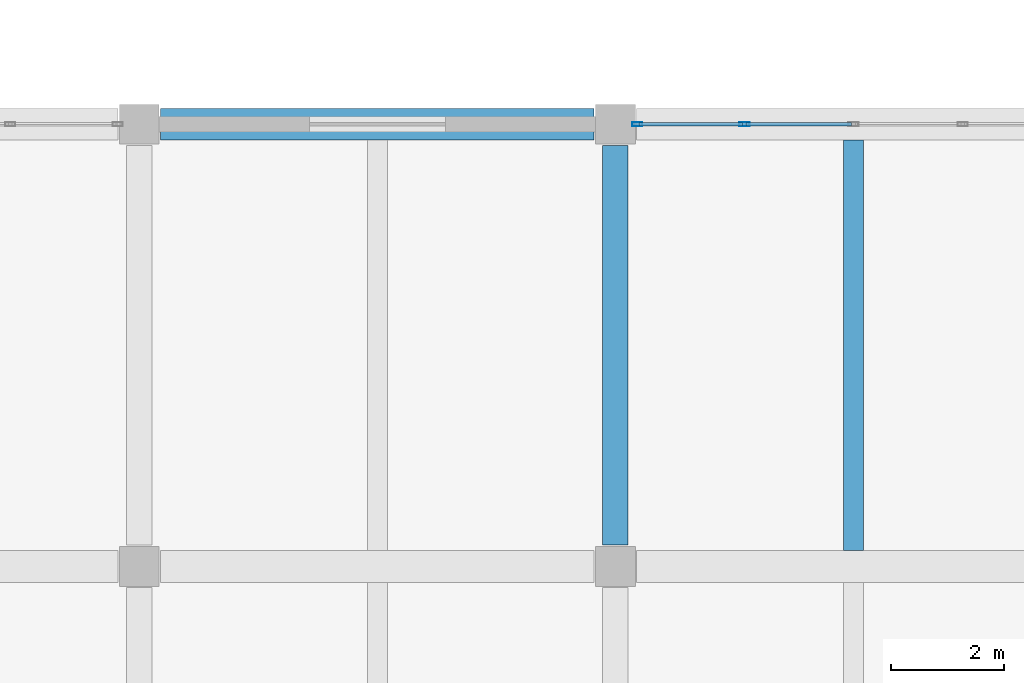
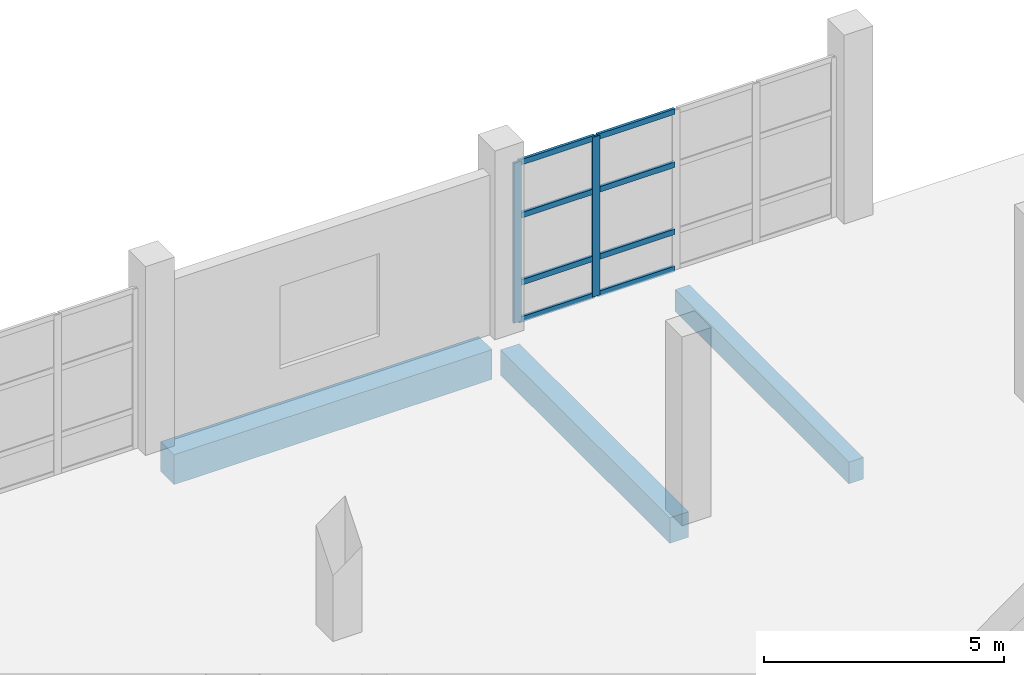
# One storey, part 24 of 91: 10 members, 3 beams, 1 element without a shape of its own.
"""IFC4 building model written with IfcOpenShell, lengths in metres."""

from ifc_helpers import new_model, si_unit, direction, frame, origin, origin_2d, place, context, subcontext, project, spatial, rectangle, hollow_rectangle, extrude, material, material_profile, profile_set, type_object, element, aggregate, save


model = new_model("IFC4")

# Units and contexts
model_context = context("Model", 3, precision=1e-05, world=origin(), true_north=direction((0.0, 1.0)))
body_context = subcontext(model_context, "Body", "Model", "MODEL_VIEW")
ifc_project = project(units=[si_unit("LENGTHUNIT", "METRE"), si_unit("AREAUNIT", "SQUARE_METRE"), si_unit("VOLUMEUNIT", "CUBIC_METRE"), si_unit("PLANEANGLEUNIT", "RADIAN"), si_unit("MASSUNIT", "GRAM", prefix="KILO")], contexts=[model_context])

# Site, building, storey
site_placement = place(None, origin())
site = spatial("IfcSite", under=ifc_project, at=site_placement, CompositionType="ELEMENT")
building_placement = place(site_placement, origin())
building = spatial("IfcBuilding", under=site, at=building_placement, Name="Pellamere Symphony Hall", CompositionType="ELEMENT")
storey_placement = place(building_placement, frame((0.0, 0.0, 5.39990234375)))
storey = spatial("IfcBuildingStorey", under=building, at=storey_placement, Name="L01", CompositionType="ELEMENT", Elevation=5.39990234375)

# Curtain wall, members
ifc_material_1 = material(Name="Thermally Broken Anodised Aluminium 6063-T6 Curtain Wall", Category="aluminium")
curtain_wall_type = type_object("IfcCurtainWallType", Name="Curtain Wall CW-04 (Chamber Music Lobby Curtain Wall)", PredefinedType="NOTDEFINED", material=ifc_material_1)
curtain_wall_placement = place(storey_placement, origin())
curtain_wall = element("IfcCurtainWall", 1, at=curtain_wall_placement, inside=storey, type_object=curtain_wall_type, Name="Chamber Garden North Curtain Wall (L01 Bay 2)", PredefinedType="NOTDEFINED")
ifc_material_2 = material(Name="Anodised Architectural Aluminium 6063-T6", Category="aluminium")
ifc_material_profile_1 = material_profile(ifc_material_2, hollow_rectangle(XDim=0.06494140625, YDim=0.179931640625, WallThickness=0.00390625, at=origin_2d()), Name="ALU-M65X180X4")
ifc_profile_set_1 = profile_set([ifc_material_profile_1], Name="Anodised Architectural Aluminium 6063-T6")
member_type_1 = type_object("IfcMemberType", Name="Curtain Wall Mullion ML-02 ALU-M65X180X4", PredefinedType="MULLION", material=ifc_profile_set_1)
member_1_placement = place(storey_placement, frame((25.58251953125, 54.0, 0.0), z_axis=(0.0, 0.0, 1.0), x_axis=(0.0, 1.0, 0.0)))
member_1 = element("IfcMember", 2, at=member_1_placement, type_object=member_type_1, Name="CW4N-120 crystal mullion 1", PredefinedType="MULLION", context=body_context, shape_type="SweptSolid", body=[
    extrude(hollow_rectangle(XDim=0.06494140625, YDim=0.179931640625, WallThickness=0.00390625, at=origin_2d()), origin(), (0.0, 0.0, 1.0), 4.064208984375),
])
member_2_placement = place(storey_placement, frame((27.47509765625, 54.0, 0.0), z_axis=(0.0, 0.0, 1.0), x_axis=(0.0, 1.0, 0.0)))
member_2 = element("IfcMember", 3, at=member_2_placement, type_object=member_type_1, Name="CW4N-120 crystal mullion 2", PredefinedType="MULLION", context=body_context, shape_type="SweptSolid", body=[
    extrude(hollow_rectangle(XDim=0.06494140625, YDim=0.179931640625, WallThickness=0.00390625, at=origin_2d()), origin(), (0.0, 0.0, 1.0), 4.064208984375),
])
ifc_material_profile_2 = material_profile(ifc_material_2, hollow_rectangle(XDim=0.06494140625, YDim=0.139892578125, WallThickness=0.00390625, at=origin_2d()), Name="ALU-T65X140X4")
ifc_profile_set_2 = profile_set([ifc_material_profile_2], Name="Anodised Architectural Aluminium 6063-T6")
member_type_2 = type_object("IfcMemberType", Name="Curtain Wall Transom TR-02 ALU-T65X140X4", PredefinedType="USERDEFINED", material=ifc_profile_set_2)
member_3_placement = place(storey_placement, frame((25.614990234375, 54.0, 0.03271484375), z_axis=(1.0, 0.0, 0.0), x_axis=(0.0, 1.0, 0.0)))
member_3 = element("IfcMember", 4, at=member_3_placement, type_object=member_type_2, Name="CW4N-120 crystal transom 1.1", ObjectType="TRANSOM", PredefinedType="USERDEFINED", context=body_context, shape_type="SweptSolid", body=[
    extrude(hollow_rectangle(XDim=0.06494140625, YDim=0.139892578125, WallThickness=0.00390625, at=origin_2d()), origin(), (0.0, 0.0, 1.0), 1.827392578125),
])
member_4_placement = place(storey_placement, frame((25.614990234375, 54.0, 0.975341796875), z_axis=(1.0, 0.0, 0.0), x_axis=(0.0, 1.0, 0.0)))
member_4 = element("IfcMember", 5, at=member_4_placement, type_object=member_type_2, Name="CW4N-120 crystal transom 1.2", ObjectType="TRANSOM", PredefinedType="USERDEFINED", context=body_context, shape_type="SweptSolid", body=[
    extrude(hollow_rectangle(XDim=0.06494140625, YDim=0.139892578125, WallThickness=0.00390625, at=origin_2d()), origin(), (0.0, 0.0, 1.0), 1.827392578125),
])
member_5_placement = place(storey_placement, frame((25.614990234375, 54.0, 2.682373046875), z_axis=(1.0, 0.0, 0.0), x_axis=(0.0, 1.0, 0.0)))
member_5 = element("IfcMember", 6, at=member_5_placement, type_object=member_type_2, Name="CW4N-120 crystal transom 1.3", ObjectType="TRANSOM", PredefinedType="USERDEFINED", context=body_context, shape_type="SweptSolid", body=[
    extrude(hollow_rectangle(XDim=0.06494140625, YDim=0.139892578125, WallThickness=0.00390625, at=origin_2d()), origin(), (0.0, 0.0, 1.0), 1.827392578125),
])
member_6_placement = place(storey_placement, frame((25.614990234375, 54.0, 4.031494140625), z_axis=(1.0, 0.0, 0.0), x_axis=(0.0, 1.0, 0.0)))
member_6 = element("IfcMember", 7, at=member_6_placement, type_object=member_type_2, Name="CW4N-120 crystal transom 1.4", ObjectType="TRANSOM", PredefinedType="USERDEFINED", context=body_context, shape_type="SweptSolid", body=[
    extrude(hollow_rectangle(XDim=0.06494140625, YDim=0.139892578125, WallThickness=0.00390625, at=origin_2d()), origin(), (0.0, 0.0, 1.0), 1.827392578125),
])
member_7_placement = place(storey_placement, frame((27.507568359375, 54.0, 0.03271484375), z_axis=(1.0, 0.0, 0.0), x_axis=(0.0, 1.0, 0.0)))
member_7 = element("IfcMember", 8, at=member_7_placement, type_object=member_type_2, Name="CW4N-120 crystal transom 2.1", ObjectType="TRANSOM", PredefinedType="USERDEFINED", context=body_context, shape_type="SweptSolid", body=[
    extrude(hollow_rectangle(XDim=0.06494140625, YDim=0.139892578125, WallThickness=0.00390625, at=origin_2d()), origin(), (0.0, 0.0, 1.0), 1.85986328125),
])
member_8_placement = place(storey_placement, frame((27.507568359375, 54.0, 0.975341796875), z_axis=(1.0, 0.0, 0.0), x_axis=(0.0, 1.0, 0.0)))
member_8 = element("IfcMember", 9, at=member_8_placement, type_object=member_type_2, Name="CW4N-120 crystal transom 2.2", ObjectType="TRANSOM", PredefinedType="USERDEFINED", context=body_context, shape_type="SweptSolid", body=[
    extrude(hollow_rectangle(XDim=0.06494140625, YDim=0.139892578125, WallThickness=0.00390625, at=origin_2d()), origin(), (0.0, 0.0, 1.0), 1.85986328125),
])
member_9_placement = place(storey_placement, frame((27.507568359375, 54.0, 2.682373046875), z_axis=(1.0, 0.0, 0.0), x_axis=(0.0, 1.0, 0.0)))
member_9 = element("IfcMember", 10, at=member_9_placement, type_object=member_type_2, Name="CW4N-120 crystal transom 2.3", ObjectType="TRANSOM", PredefinedType="USERDEFINED", context=body_context, shape_type="SweptSolid", body=[
    extrude(hollow_rectangle(XDim=0.06494140625, YDim=0.139892578125, WallThickness=0.00390625, at=origin_2d()), origin(), (0.0, 0.0, 1.0), 1.85986328125),
])
member_10_placement = place(storey_placement, frame((27.507568359375, 54.0, 4.031494140625), z_axis=(1.0, 0.0, 0.0), x_axis=(0.0, 1.0, 0.0)))
member_10 = element("IfcMember", 11, at=member_10_placement, type_object=member_type_2, Name="CW4N-120 crystal transom 2.4", ObjectType="TRANSOM", PredefinedType="USERDEFINED", context=body_context, shape_type="SweptSolid", body=[
    extrude(hollow_rectangle(XDim=0.06494140625, YDim=0.139892578125, WallThickness=0.00390625, at=origin_2d()), origin(), (0.0, 0.0, 1.0), 1.85986328125),
])
aggregate(curtain_wall, [member_1, member_2, member_3, member_4, member_5, member_6, member_7, member_8, member_9, member_10])

# Beams
ifc_material_3 = material(Name="Concrete 40 MPa", Category="concrete")
ifc_material_profile_3 = material_profile(ifc_material_3, rectangle(XDim=0.449951171875, YDim=0.64990234375, at=origin_2d()), Name="RC 450x650")
ifc_profile_set_3 = profile_set([ifc_material_profile_3], Name="Concrete 40 MPa")
beam_type_1 = type_object("IfcBeamType", Name="RC CB-08 450x650", PredefinedType="BEAM", material=ifc_profile_set_3)
beam_1_placement = place(storey_placement, frame((25.199951171875, 46.574951171875, -0.60498046875), z_axis=(0.0, 1.0, 0.0), x_axis=(-1.0, 0.0, 0.0)))
element("IfcBeam", 12, at=beam_1_placement, inside=storey, type_object=beam_type_1, Name="Girder CB-08-Y0733 (L01)", PredefinedType="BEAM", context=body_context, shape_type="SweptSolid", body=[
    extrude(rectangle(XDim=0.449951171875, YDim=0.64990234375, at=origin_2d()), origin(), (0.0, 0.0, 1.0), 7.050048828125),
])
ifc_material_4 = material(Name="Concrete 35 MPa", Category="concrete")
ifc_material_profile_4 = material_profile(ifc_material_4, rectangle(XDim=0.35009765625, YDim=0.550048828125, at=origin_2d()), Name="RC 350x550")
ifc_profile_set_4 = profile_set([ifc_material_profile_4], Name="Concrete 35 MPa")
beam_type_2 = type_object("IfcBeamType", Name="RC CB-10 350x550", PredefinedType="BEAM", material=ifc_profile_set_4)
beam_2_placement = place(storey_placement, frame((29.39990234375, 46.47998046875, -0.56982421875), z_axis=(0.0, 1.0, 0.0), x_axis=(-1.0, 0.0, 0.0)))
element("IfcBeam", 13, at=beam_2_placement, inside=storey, type_object=beam_type_2, Name="Secondary Floor Beam CB-10-M0306 (L01)", PredefinedType="BEAM", context=body_context, shape_type="SweptSolid", body=[
    extrude(rectangle(XDim=0.35009765625, YDim=0.550048828125, at=origin_2d()), origin(), (0.0, 0.0, 1.0), 7.239990234375),
])
ifc_material_profile_5 = material_profile(ifc_material_3, rectangle(XDim=0.56005859375, YDim=0.760009765625, at=origin_2d()), Name="RC 560x760")
ifc_profile_set_5 = profile_set([ifc_material_profile_5], Name="Concrete 40 MPa")
beam_type_3 = type_object("IfcBeamType", Name="RC CB-18 560x760", PredefinedType="BEAM", material=ifc_profile_set_5)
beam_3_placement = place(storey_placement, frame((17.175048828125, 54.0, -0.659912109375), z_axis=(1.0, 0.0, 0.0), x_axis=(0.0, 1.0, 0.0)))
element("IfcBeam", 14, at=beam_3_placement, inside=storey, type_object=beam_type_3, Name="Girder CB-18-X0637 (L01)", PredefinedType="BEAM", context=body_context, shape_type="SweptSolid", body=[
    extrude(rectangle(XDim=0.56005859375, YDim=0.760009765625, at=origin_2d()), origin(), (0.0, 0.0, 1.0), 7.64990234375),
])

save(model, "model.ifc")
